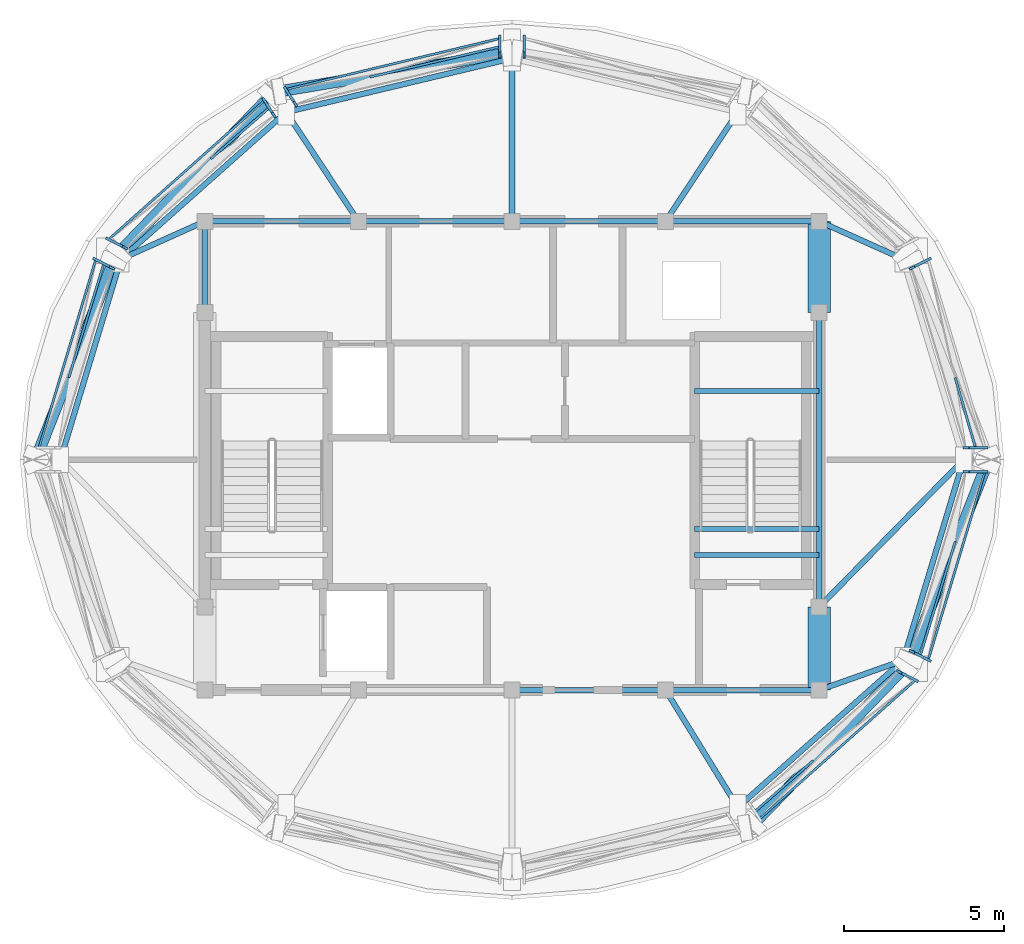
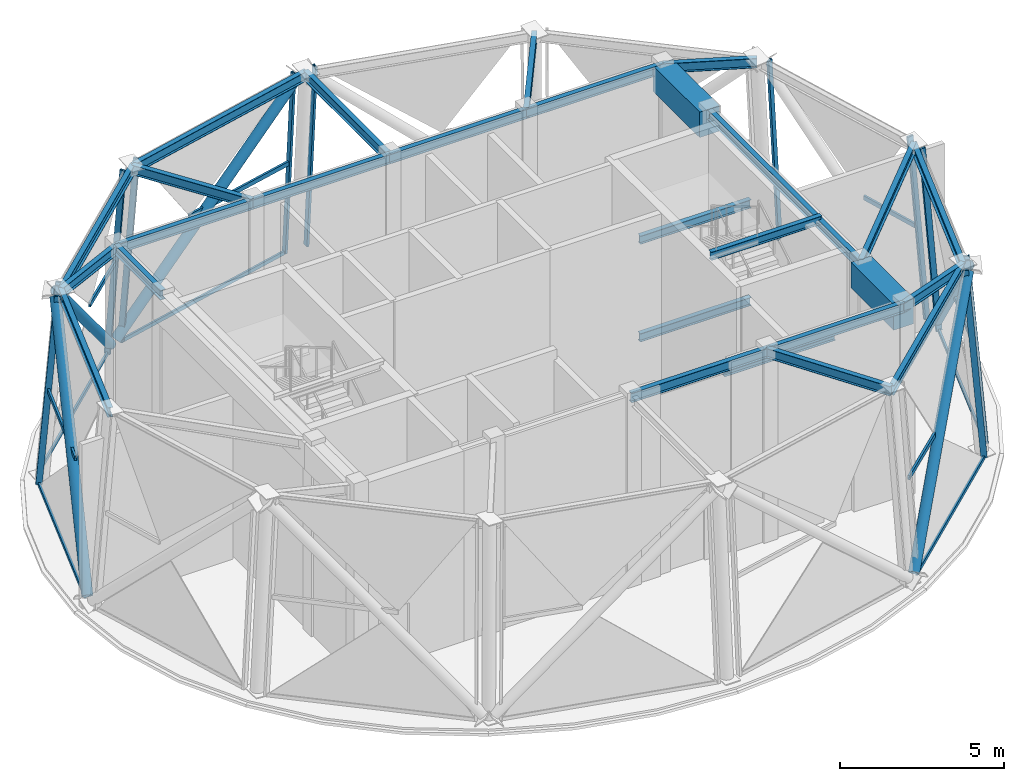
# One storey, part 2 of 8: 27 beams, 27 members, 7 elements without a shape of their own.
"""IFC4 building model written with IfcOpenShell, lengths in metres."""

from ifc_helpers import new_model, si_unit, direction, frame, origin, origin_2d, place, context, subcontext, project, spatial, rectangle, hollow_rectangle, hollow_circle, i_section, extrude, material, layer, layer_set, material_profile, profile_set, type_object, element, aggregate, save


model = new_model("IFC4")

# Units and contexts
model_context = context("Model", 3, precision=1e-05, world=origin(), true_north=direction((0.0, 1.0)))
body_context = subcontext(model_context, "Body", "Model", "MODEL_VIEW")
ifc_project = project(units=[si_unit("LENGTHUNIT", "METRE"), si_unit("AREAUNIT", "SQUARE_METRE"), si_unit("VOLUMEUNIT", "CUBIC_METRE"), si_unit("PLANEANGLEUNIT", "RADIAN"), si_unit("MASSUNIT", "GRAM", prefix="KILO")], contexts=[model_context])

# Site, building, storey
site_placement = place(None, origin())
site = spatial("IfcSite", under=ifc_project, at=site_placement, CompositionType="ELEMENT")
building_placement = place(site_placement, origin())
building = spatial("IfcBuilding", under=site, at=building_placement, Name="Vantalir Tower", CompositionType="ELEMENT")
storey_placement = place(building_placement, frame((0.0, 0.0, 333.5)))
storey = spatial("IfcBuildingStorey", under=building, at=storey_placement, Name="L80", CompositionType="ELEMENT", Elevation=333.5)

# Beams
ifc_material_1 = material(Name="Concrete C60/75", Category="concrete")
ifc_material_profile_1 = material_profile(ifc_material_1, rectangle(XDim=0.699951171875, YDim=0.949951171875, at=origin_2d()), Name="Concrete C60/75")
ifc_profile_set_1 = profile_set([ifc_material_profile_1], Name="Concrete C60/75")
beam_type_1 = type_object("IfcBeamType", Name="BM-CB-700x950", PredefinedType="USERDEFINED", material=ifc_profile_set_1)
beam_1_placement = place(storey_placement, frame((41.10009765625, 17.800048828125, 6.594970703125), z_axis=(0.0, 1.0, 0.0), x_axis=(-1.0, 0.0, 0.0)))
element("IfcBeam", 1, at=beam_1_placement, inside=storey, type_object=beam_type_1, Name="L80 Core Coupling Girder 05", ObjectType="GIRDER", PredefinedType="USERDEFINED", context=body_context, shape_type="SweptSolid", body=[
    extrude(rectangle(XDim=0.699951171875, YDim=0.949951171875, at=origin_2d()), origin(), (0.0, 0.0, 1.0), 2.599853515625),
])
beam_2_placement = place(storey_placement, frame((41.10009765625, 29.60009765625, 6.594970703125), z_axis=(0.0, 1.0, 0.0), x_axis=(-1.0, 0.0, 0.0)))
element("IfcBeam", 2, at=beam_2_placement, inside=storey, type_object=beam_type_1, Name="L80 Core Coupling Girder 07", ObjectType="GIRDER", PredefinedType="USERDEFINED", context=body_context, shape_type="SweptSolid", body=[
    extrude(rectangle(XDim=0.699951171875, YDim=0.949951171875, at=origin_2d()), origin(), (0.0, 0.0, 1.0), 2.849853515625),
])
ifc_material_2 = material(Name="Steel S355", Category="steel")
ifc_material_profile_2 = material_profile(ifc_material_2, i_section(OverallWidth=0.166015625, OverallDepth=0.306884765625, WebThickness=0.006591796875, FlangeThickness=0.01171875, at=origin_2d()), Name="Steel S355")
ifc_profile_set_2 = profile_set([ifc_material_profile_2], Name="Steel S355")
beam_type_2 = type_object("IfcBeamType", Name="BM-JS-305x165", PredefinedType="JOIST", material=ifc_profile_set_2)
for number, where, z_axis, x_axis, name in (
    (3, (37.2099609375, 22.8349609375, 7.095947265625), (1.0, 0.0, 0.0), (0.0, 1.0, 0.0), "L81 Stair ST2 Well Nosing Trimmer Beam"),
    (4, (37.2099609375, 27.14501953125, 1.458984375), (1.0, 0.0, 0.0), (0.0, 1.0, 0.0), "L80 Stair ST2 Half-Landing Support Beam"),
    (5, (37.2099609375, 22.02001953125, 3.27197265625), (1.0, 0.0, 0.0), (0.0, 1.0, 0.0), "L80 Stair ST2 Half-Landing Support Beam"),
    (6, (37.2099609375, 27.14501953125, 5.083984375), (1.0, 0.0, 0.0), (0.0, 1.0, 0.0), "L80 Stair ST2 Half-Landing Support Beam"),
):
    element("IfcBeam", number, at=place(storey_placement, frame(where, z_axis=z_axis, x_axis=x_axis)), inside=storey, type_object=beam_type_2, Name=name, PredefinedType="JOIST", context=body_context, shape_type="SweptSolid", body=[
        extrude(i_section(OverallWidth=0.166015625, OverallDepth=0.306884765625, WebThickness=0.006591796875, FlangeThickness=0.01171875, at=origin_2d()), origin(), (0.0, 0.0, 1.0), 3.89013671875),
    ])
ifc_material_3 = material(Name="Steel S460", Category="steel")
ifc_material_profile_3 = material_profile(ifc_material_3, i_section(OverallWidth=0.172119140625, OverallDepth=0.35791015625, WebThickness=0.008056640625, FlangeThickness=0.012939453125, at=origin_2d()), Name="Steel S460")
ifc_profile_set_3 = profile_set([ifc_material_profile_3], Name="Steel S460")
beam_type_3 = type_object("IfcBeamType", Name="BM-RB-356x171", PredefinedType="BEAM", material=ifc_profile_set_3)
for number, where, z_axis, x_axis, name in (
    (7, (31.5, 17.800048828125, 6.89111328125), (1.0, 0.0, 0.0), (0.0, 1.0, 0.0), "L80 Core Coupling Girder 03"),
    (8, (36.300048828125, 17.800048828125, 6.89111328125), (1.0, 0.0, 0.0), (0.0, 1.0, 0.0), "L80 Core Coupling Girder 04"),
):
    element("IfcBeam", number, at=place(storey_placement, frame(where, z_axis=z_axis, x_axis=x_axis)), inside=storey, type_object=beam_type_3, Name=name, PredefinedType="BEAM", context=body_context, shape_type="SweptSolid", body=[
        extrude(i_section(OverallWidth=0.172119140625, OverallDepth=0.35791015625, WebThickness=0.008056640625, FlangeThickness=0.012939453125, at=origin_2d()), origin(), (0.0, 0.0, 1.0), 4.800048828125),
    ])
beam_3_placement = place(storey_placement, frame((41.10009765625, 20.39990234375, 6.89111328125), z_axis=(0.0, 1.0, 0.0), x_axis=(-1.0, 0.0, 0.0)))
element("IfcBeam", 9, at=beam_3_placement, inside=storey, type_object=beam_type_3, Name="L80 Core Coupling Girder 06", PredefinedType="BEAM", context=body_context, shape_type="SweptSolid", body=[
    extrude(i_section(OverallWidth=0.172119140625, OverallDepth=0.35791015625, WebThickness=0.008056640625, FlangeThickness=0.012939453125, at=origin_2d()), origin(), (0.0, 0.0, 1.0), 9.2001953125),
])
for number, where, z_axis, x_axis, name in (
    (10, (41.10009765625, 32.449951171875, 6.89111328125), (-1.0, 0.0, 0.0), (0.0, -1.0, 0.0), "L80 Core Coupling Girder 08"),
    (11, (36.300048828125, 32.449951171875, 6.89111328125), (-1.0, 0.0, 0.0), (0.0, -1.0, 0.0), "L80 Core Coupling Girder 09"),
    (12, (31.5, 32.449951171875, 6.89111328125), (-1.0, 0.0, 0.0), (0.0, -1.0, 0.0), "L80 Core Coupling Girder 10"),
    (13, (26.699951171875, 32.449951171875, 6.89111328125), (-1.0, 0.0, 0.0), (0.0, -1.0, 0.0), "L80 Core Coupling Girder 11"),
):
    element("IfcBeam", number, at=place(storey_placement, frame(where, z_axis=z_axis, x_axis=x_axis)), inside=storey, type_object=beam_type_3, Name=name, PredefinedType="BEAM", context=body_context, shape_type="SweptSolid", body=[
        extrude(i_section(OverallWidth=0.172119140625, OverallDepth=0.35791015625, WebThickness=0.008056640625, FlangeThickness=0.012939453125, at=origin_2d()), origin(), (0.0, 0.0, 1.0), 4.800048828125),
    ])
beam_4_placement = place(storey_placement, frame((21.89990234375, 32.449951171875, 6.89111328125), z_axis=(0.0, -1.0, 0.0), x_axis=(1.0, 0.0, 0.0)))
element("IfcBeam", 14, at=beam_4_placement, inside=storey, type_object=beam_type_3, Name="L80 Core Coupling Girder 12", PredefinedType="BEAM", context=body_context, shape_type="SweptSolid", body=[
    extrude(i_section(OverallWidth=0.172119140625, OverallDepth=0.35791015625, WebThickness=0.008056640625, FlangeThickness=0.012939453125, at=origin_2d()), origin(), (0.0, 0.0, 1.0), 2.849853515625),
])
beam_5_placement = place(storey_placement, frame((45.614013671875, 25.0, 6.89111328125), z_axis=(-0.700389104204, -0.713761236487, 0.0), x_axis=(0.713761236487, -0.700389104204, 0.0)))
element("IfcBeam", 15, at=beam_5_placement, inside=storey, type_object=beam_type_3, Name="L80 Radial Floor Beam 01", PredefinedType="BEAM", context=body_context, shape_type="SweptSolid", body=[
    extrude(i_section(OverallWidth=0.172119140625, OverallDepth=0.35791015625, WebThickness=0.008056640625, FlangeThickness=0.012939453125, at=origin_2d()), origin(), (0.0, 0.0, 1.0), 6.44482421875),
])
beam_6_placement = place(storey_placement, frame((43.722900390625, 31.27099609375, 6.89111328125), z_axis=(-0.912091405447, 0.40998691212, 0.0), x_axis=(-0.40998691212, -0.912091405447, 0.0)))
element("IfcBeam", 16, at=beam_6_placement, inside=storey, type_object=beam_type_3, Name="L80 Radial Floor Beam 02", PredefinedType="BEAM", context=body_context, shape_type="SweptSolid", body=[
    extrude(i_section(OverallWidth=0.172119140625, OverallDepth=0.35791015625, WebThickness=0.008056640625, FlangeThickness=0.012939453125, at=origin_2d()), origin(), (0.0, 0.0, 1.0), 2.87548828125),
])
beam_7_placement = place(storey_placement, frame((38.556884765625, 35.863037109375, 6.89111328125), z_axis=(-0.551556873455, -0.834137288068, 0.0), x_axis=(0.834137288068, -0.551556873455, 0.0)))
element("IfcBeam", 17, at=beam_7_placement, inside=storey, type_object=beam_type_3, Name="L80 Radial Floor Beam 03", PredefinedType="BEAM", context=body_context, shape_type="SweptSolid", body=[
    extrude(i_section(OverallWidth=0.172119140625, OverallDepth=0.35791015625, WebThickness=0.008056640625, FlangeThickness=0.012939453125, at=origin_2d()), origin(), (0.0, 0.0, 1.0), 4.091796875),
])
beam_8_placement = place(storey_placement, frame((31.5, 37.54296875, 6.89111328125), z_axis=(-0.97281488068, -0.231584127105, 0.0), x_axis=(0.231584127105, -0.97281488068, 0.0)))
element("IfcBeam", 18, at=beam_8_placement, inside=storey, type_object=beam_type_3, Name="L80 Circumferential Ring Girder 04", PredefinedType="BEAM", context=body_context, shape_type="SweptSolid", body=[
    extrude(i_section(OverallWidth=0.172119140625, OverallDepth=0.35791015625, WebThickness=0.008056640625, FlangeThickness=0.012939453125, at=origin_2d()), origin(), (0.0, 0.0, 1.0), 7.254150390625),
])
beam_9_placement = place(storey_placement, frame((31.5, 37.54296875, 6.89111328125), z_axis=(0.0, -1.0, 0.0), x_axis=(1.0, 0.0, 0.0)))
element("IfcBeam", 19, at=beam_9_placement, inside=storey, type_object=beam_type_3, Name="L80 Radial Floor Beam 04", PredefinedType="BEAM", context=body_context, shape_type="SweptSolid", body=[
    extrude(i_section(OverallWidth=0.172119140625, OverallDepth=0.35791015625, WebThickness=0.008056640625, FlangeThickness=0.012939453125, at=origin_2d()), origin(), (0.0, 0.0, 1.0), 5.093017578125),
])
beam_10_placement = place(storey_placement, frame((24.443115234375, 35.863037109375, 6.89111328125), z_axis=(-0.747407369896, -0.664366031209, 0.0), x_axis=(0.664366031209, -0.747407369896, 0.0)))
element("IfcBeam", 20, at=beam_10_placement, inside=storey, type_object=beam_type_3, Name="L80 Circumferential Ring Girder 05", PredefinedType="BEAM", context=body_context, shape_type="SweptSolid", body=[
    extrude(i_section(OverallWidth=0.172119140625, OverallDepth=0.35791015625, WebThickness=0.008056640625, FlangeThickness=0.012939453125, at=origin_2d()), origin(), (0.0, 0.0, 1.0), 6.911865234375),
])
beam_11_placement = place(storey_placement, frame((24.443115234375, 35.863037109375, 6.89111328125), z_axis=(0.551556873455, -0.834137288068, 0.0), x_axis=(0.834137288068, 0.551556873455, 0.0)))
element("IfcBeam", 21, at=beam_11_placement, inside=storey, type_object=beam_type_3, Name="L80 Radial Floor Beam 05", PredefinedType="BEAM", context=body_context, shape_type="SweptSolid", body=[
    extrude(i_section(OverallWidth=0.172119140625, OverallDepth=0.35791015625, WebThickness=0.008056640625, FlangeThickness=0.012939453125, at=origin_2d()), origin(), (0.0, 0.0, 1.0), 4.091796875),
])
beam_12_placement = place(storey_placement, frame((19.277099609375, 31.27099609375, 6.89111328125), z_axis=(-0.288722271948, -0.957412894044, 0.0), x_axis=(0.957412894044, -0.288722271948, 0.0)))
element("IfcBeam", 22, at=beam_12_placement, inside=storey, type_object=beam_type_3, Name="L80 Circumferential Ring Girder 06", PredefinedType="BEAM", context=body_context, shape_type="SweptSolid", body=[
    extrude(i_section(OverallWidth=0.172119140625, OverallDepth=0.35791015625, WebThickness=0.008056640625, FlangeThickness=0.012939453125, at=origin_2d()), origin(), (0.0, 0.0, 1.0), 6.550048828125),
])
beam_13_placement = place(storey_placement, frame((19.277099609375, 31.27099609375, 6.89111328125), z_axis=(0.912091405447, 0.40998691212, 0.0), x_axis=(-0.40998691212, 0.912091405447, 0.0)))
element("IfcBeam", 23, at=beam_13_placement, inside=storey, type_object=beam_type_3, Name="L80 Radial Floor Beam 06", PredefinedType="BEAM", context=body_context, shape_type="SweptSolid", body=[
    extrude(i_section(OverallWidth=0.172119140625, OverallDepth=0.35791015625, WebThickness=0.008056640625, FlangeThickness=0.012939453125, at=origin_2d()), origin(), (0.0, 0.0, 1.0), 2.87548828125),
])
beam_14_placement = place(storey_placement, frame((38.556884765625, 14.136962890625, 6.89111328125), z_axis=(0.747477528585, 0.664287094756, 0.0), x_axis=(-0.664287094756, 0.747477528585, 0.0)))
element("IfcBeam", 24, at=beam_14_placement, inside=storey, type_object=beam_type_3, Name="L80 Circumferential Ring Girder 11", PredefinedType="BEAM", context=body_context, shape_type="SweptSolid", body=[
    extrude(i_section(OverallWidth=0.172119140625, OverallDepth=0.35791015625, WebThickness=0.008056640625, FlangeThickness=0.012939453125, at=origin_2d()), origin(), (0.0, 0.0, 1.0), 6.911376953125),
])
beam_15_placement = place(storey_placement, frame((38.556884765625, 14.136962890625, 6.89111328125), z_axis=(-0.524540590283, 0.851385441, 0.0), x_axis=(-0.851385441, -0.524540590283, 0.0)))
element("IfcBeam", 25, at=beam_15_placement, inside=storey, type_object=beam_type_3, Name="L80 Radial Floor Beam 11", PredefinedType="BEAM", context=body_context, shape_type="SweptSolid", body=[
    extrude(i_section(OverallWidth=0.172119140625, OverallDepth=0.35791015625, WebThickness=0.008056640625, FlangeThickness=0.012939453125, at=origin_2d()), origin(), (0.0, 0.0, 1.0), 4.302490234375),
])
beam_16_placement = place(storey_placement, frame((43.722900390625, 18.72802734375, 6.89111328125), z_axis=(0.288681063793, 0.957425320016, 0.0), x_axis=(-0.957425320016, 0.288681063793, 0.0)))
element("IfcBeam", 26, at=beam_16_placement, inside=storey, type_object=beam_type_3, Name="L80 Circumferential Ring Girder 12", PredefinedType="BEAM", context=body_context, shape_type="SweptSolid", body=[
    extrude(i_section(OverallWidth=0.172119140625, OverallDepth=0.35791015625, WebThickness=0.008056640625, FlangeThickness=0.012939453125, at=origin_2d()), origin(), (0.0, 0.0, 1.0), 6.55078125),
])
beam_17_placement = place(storey_placement, frame((43.722900390625, 18.72802734375, 6.89111328125), z_axis=(-0.942732461803, -0.333549854539, 0.0), x_axis=(0.333549854539, -0.942732461803, 0.0)))
element("IfcBeam", 27, at=beam_17_placement, inside=storey, type_object=beam_type_3, Name="L80 Radial Floor Beam 12", PredefinedType="BEAM", context=body_context, shape_type="SweptSolid", body=[
    extrude(i_section(OverallWidth=0.172119140625, OverallDepth=0.35791015625, WebThickness=0.008056640625, FlangeThickness=0.012939453125, at=origin_2d()), origin(), (0.0, 0.0, 1.0), 2.7822265625),
])

# Curtain wall, members
ifc_material_4 = material(Name="Champagne-silver PVDF aluminium and double-silver Low-E glass", Category="aluminium")
ifc_layer = layer(ifc_material_4, 0.25)
ifc_layer_set = layer_set([ifc_layer], Name="Champagne-silver PVDF aluminium and double-silver Low-E glass")
curtain_wall_type = type_object("IfcCurtainWallType", Name="CW-CROWN-PT", PredefinedType="USERDEFINED", material=ifc_layer_set)
curtain_wall_1_placement = place(storey_placement, origin())
curtain_wall_1 = element("IfcCurtainWall", 28, at=curtain_wall_1_placement, inside=storey, type_object=curtain_wall_type, Name="L80 Quilted Pyramid-Diamond Curtain Wall S01", ObjectType="UNITISED CURTAIN WALL", PredefinedType="USERDEFINED")
ifc_material_5 = material(Name="Champagne-silver PVDF aluminium 6063-T6", Category="aluminium")
ifc_material_profile_4 = material_profile(ifc_material_5, hollow_rectangle(XDim=0.080078125, YDim=0.199951171875, WallThickness=0.0048828125, at=origin_2d()), Name="Champagne-silver PVDF aluminium 6063-T6")
ifc_profile_set_4 = profile_set([ifc_material_profile_4], Name="Champagne-silver PVDF aluminium 6063-T6")
member_type_1 = type_object("IfcMemberType", Name="CWM-200x80", PredefinedType="MULLION", material=ifc_profile_set_4)
member_1_placement = place(storey_placement, frame((46.279052734375, 25.373046875, 0.044921875), z_axis=(-0.083824264782, 0.0, 0.996480553064), x_axis=(0.0, -1.0, 0.0)))
member_1 = element("IfcMember", 29, at=member_1_placement, type_object=member_type_1, Name="CW-L80-S01 Mullion 1", PredefinedType="MULLION", context=body_context, shape_type="SweptSolid", body=[
    extrude(hollow_rectangle(XDim=0.080078125, YDim=0.199951171875, WallThickness=0.0048828125, at=origin_2d()), origin(), (0.0, 0.0, 1.0), 7.004638671875),
])
member_2_placement = place(storey_placement, frame((44.508056640625, 31.2548828125, 0.044921875), z_axis=(-0.072544830154, -0.037405383352, 0.996663476262), x_axis=(0.4582838613, -0.888805885709, 0.0)))
member_2 = element("IfcMember", 30, at=member_2_placement, type_object=member_type_1, Name="CW-L80-S01 Mullion 2", PredefinedType="MULLION", context=body_context, shape_type="SweptSolid", body=[
    extrude(hollow_rectangle(XDim=0.080078125, YDim=0.199951171875, WallThickness=0.0048828125, at=origin_2d()), origin(), (0.0, 0.0, 1.0), 7.00341796875),
])

# Curtain wall, member
curtain_wall_2_placement = place(storey_placement, origin())
curtain_wall_2 = element("IfcCurtainWall", 31, at=curtain_wall_2_placement, inside=storey, type_object=curtain_wall_type, Name="L80 Quilted Pyramid-Diamond Curtain Wall S03", ObjectType="UNITISED CURTAIN WALL", PredefinedType="USERDEFINED")
member_3_placement = place(storey_placement, frame((31.87890625, 38.1669921875, 0.044921875), z_axis=(0.0, -0.074850645186, 0.99719475576), x_axis=(1.0, 0.0, 0.0)))
member_3 = element("IfcMember", 32, at=member_3_placement, type_object=member_type_1, Name="CW-L80-S03 Mullion 2", PredefinedType="MULLION", context=body_context, shape_type="SweptSolid", body=[
    extrude(hollow_rectangle(XDim=0.080078125, YDim=0.199951171875, WallThickness=0.0048828125, at=origin_2d()), origin(), (0.0, 0.0, 1.0), 6.99951171875),
])
aggregate(curtain_wall_2, [member_3])

# Curtain wall, members
curtain_wall_3_placement = place(storey_placement, origin())
curtain_wall_3 = element("IfcCurtainWall", 33, at=curtain_wall_3_placement, inside=storey, type_object=curtain_wall_type, Name="L80 Quilted Pyramid-Diamond Curtain Wall S04", ObjectType="UNITISED CURTAIN WALL", PredefinedType="USERDEFINED")
member_4_placement = place(storey_placement, frame((31.12109375, 38.1669921875, 0.044921875), z_axis=(0.0, -0.074850645186, 0.99719475576), x_axis=(1.0, 0.0, 0.0)))
member_4 = element("IfcMember", 34, at=member_4_placement, type_object=member_type_1, Name="CW-L80-S04 Mullion 1", PredefinedType="MULLION", context=body_context, shape_type="SweptSolid", body=[
    extrude(hollow_rectangle(XDim=0.080078125, YDim=0.199951171875, WallThickness=0.0048828125, at=origin_2d()), origin(), (0.0, 0.0, 1.0), 6.99951171875),
])
member_5_placement = place(storey_placement, frame((24.43408203125, 36.571044921875, 0.044921875), z_axis=(0.041847483716, -0.06486359976, 0.997016299532), x_axis=(0.840296648224, 0.542126869822, 0.0)))
member_5 = element("IfcMember", 35, at=member_5_placement, type_object=member_type_1, Name="CW-L80-S04 Mullion 2", PredefinedType="MULLION", context=body_context, shape_type="SweptSolid", body=[
    extrude(hollow_rectangle(XDim=0.080078125, YDim=0.199951171875, WallThickness=0.0048828125, at=origin_2d()), origin(), (0.0, 0.0, 1.0), 7.0009765625),
])

curtain_wall_4_placement = place(storey_placement, origin())
curtain_wall_4 = element("IfcCurtainWall", 36, at=curtain_wall_4_placement, inside=storey, type_object=curtain_wall_type, Name="L80 Quilted Pyramid-Diamond Curtain Wall S05", ObjectType="UNITISED CURTAIN WALL", PredefinedType="USERDEFINED")
member_6_placement = place(storey_placement, frame((23.763916015625, 36.221923828125, 0.044921875), z_axis=(0.041847578349, -0.064828873459, 0.997018554167), x_axis=(0.840163795979, 0.542332735436, 0.0)))
member_6 = element("IfcMember", 37, at=member_6_placement, type_object=member_type_1, Name="CW-L80-S05 Mullion 1", PredefinedType="MULLION", context=body_context, shape_type="SweptSolid", body=[
    extrude(hollow_rectangle(XDim=0.080078125, YDim=0.199951171875, WallThickness=0.0048828125, at=origin_2d()), origin(), (0.0, 0.0, 1.0), 7.000732421875),
])
member_7_placement = place(storey_placement, frame((18.89501953125, 31.886962890625, 0.044921875), z_axis=(0.072544830154, -0.037405383352, 0.996663476262), x_axis=(0.4582838613, 0.888805885709, 0.0)))
member_7 = element("IfcMember", 38, at=member_7_placement, type_object=member_type_1, Name="CW-L80-S05 Mullion 2", PredefinedType="MULLION", context=body_context, shape_type="SweptSolid", body=[
    extrude(hollow_rectangle(XDim=0.080078125, YDim=0.199951171875, WallThickness=0.0048828125, at=origin_2d()), origin(), (0.0, 0.0, 1.0), 7.00341796875),
])

# Curtain wall, member
curtain_wall_5_placement = place(storey_placement, origin())
curtain_wall_5 = element("IfcCurtainWall", 39, at=curtain_wall_5_placement, inside=storey, type_object=curtain_wall_type, Name="L80 Quilted Pyramid-Diamond Curtain Wall S06", ObjectType="UNITISED CURTAIN WALL", PredefinedType="USERDEFINED")
member_8_placement = place(storey_placement, frame((18.491943359375, 31.2548828125, 0.044921875), z_axis=(0.072544830154, -0.037405383352, 0.996663476262), x_axis=(0.4582838613, 0.888805885709, 0.0)))
member_8 = element("IfcMember", 40, at=member_8_placement, type_object=member_type_1, Name="CW-L80-S06 Mullion 1", PredefinedType="MULLION", context=body_context, shape_type="SweptSolid", body=[
    extrude(hollow_rectangle(XDim=0.080078125, YDim=0.199951171875, WallThickness=0.0048828125, at=origin_2d()), origin(), (0.0, 0.0, 1.0), 7.00341796875),
])

curtain_wall_6_placement = place(storey_placement, origin())
curtain_wall_6 = element("IfcCurtainWall", 41, at=curtain_wall_6_placement, inside=storey, type_object=curtain_wall_type, Name="L80 Quilted Pyramid-Diamond Curtain Wall S11", ObjectType="UNITISED CURTAIN WALL", PredefinedType="USERDEFINED")
member_9_placement = place(storey_placement, frame((44.10498046875, 18.112060546875, 0.044921875), z_axis=(-0.072544830154, 0.037405383352, 0.996663476262), x_axis=(-0.4582838613, -0.888805885709, 0.0)))
member_9 = element("IfcMember", 42, at=member_9_placement, type_object=member_type_1, Name="CW-L80-S11 Mullion 2", PredefinedType="MULLION", context=body_context, shape_type="SweptSolid", body=[
    extrude(hollow_rectangle(XDim=0.080078125, YDim=0.199951171875, WallThickness=0.0048828125, at=origin_2d()), origin(), (0.0, 0.0, 1.0), 7.00341796875),
])

# Curtain wall, members
curtain_wall_7_placement = place(storey_placement, origin())
curtain_wall_7 = element("IfcCurtainWall", 43, at=curtain_wall_7_placement, inside=storey, type_object=curtain_wall_type, Name="L80 Quilted Pyramid-Diamond Curtain Wall S12", ObjectType="UNITISED CURTAIN WALL", PredefinedType="USERDEFINED")
member_10_placement = place(storey_placement, frame((44.508056640625, 18.743896484375, 0.044921875), z_axis=(-0.072544735514, 0.03744019507, 0.996662176037), x_axis=(-0.458621165042, -0.888631884965, 0.0)))
member_10 = element("IfcMember", 44, at=member_10_placement, type_object=member_type_1, Name="CW-L80-S12 Mullion 1", PredefinedType="MULLION", context=body_context, shape_type="SweptSolid", body=[
    extrude(hollow_rectangle(XDim=0.080078125, YDim=0.199951171875, WallThickness=0.0048828125, at=origin_2d()), origin(), (0.0, 0.0, 1.0), 7.00341796875),
])
member_11_placement = place(storey_placement, frame((46.279052734375, 24.626953125, 0.044921875), z_axis=(-0.083824264782, 0.0, 0.996480553064), x_axis=(0.0, -1.0, 0.0)))
member_11 = element("IfcMember", 45, at=member_11_placement, type_object=member_type_1, Name="CW-L80-S12 Mullion 2", PredefinedType="MULLION", context=body_context, shape_type="SweptSolid", body=[
    extrude(hollow_rectangle(XDim=0.080078125, YDim=0.199951171875, WallThickness=0.0048828125, at=origin_2d()), origin(), (0.0, 0.0, 1.0), 7.004638671875),
])

# Member
ifc_material_profile_5 = material_profile(ifc_material_5, hollow_rectangle(XDim=0.070068359375, YDim=0.139892578125, WallThickness=0.00390625, at=origin_2d()), Name="Champagne-silver PVDF aluminium 6063-T6")
ifc_profile_set_5 = profile_set([ifc_material_profile_5], Name="Champagne-silver PVDF aluminium 6063-T6")
member_type_2 = type_object("IfcMemberType", Name="CWT-140x70", PredefinedType="USERDEFINED", material=ifc_profile_set_5)
member_12_placement = place(storey_placement, frame((31.12109375, 38.1669921875, 0.054931640625), z_axis=(-0.972681476108, -0.232143804648, 0.0), x_axis=(0.232143804648, -0.972681476108, 0.0)))
member_12 = element("IfcMember", 46, at=member_12_placement, type_object=member_type_2, Name="CW-L80-S04 Sill Transom", ObjectType="TRANSOM", PredefinedType="USERDEFINED", context=body_context, shape_type="SweptSolid", body=[
    extrude(hollow_rectangle(XDim=0.070068359375, YDim=0.139892578125, WallThickness=0.00390625, at=origin_2d()), origin(), (0.0, 0.0, 1.0), 6.874755859375),
])

member_13_placement = place(storey_placement, frame((23.763916015625, 36.221923828125, 0.054931640625), z_axis=(-0.746871855857, -0.664967992409, 0.0), x_axis=(0.664967992409, -0.746871855857, 0.0)))
member_13 = element("IfcMember", 47, at=member_13_placement, type_object=member_type_2, Name="CW-L80-S05 Sill Transom", ObjectType="TRANSOM", PredefinedType="USERDEFINED", context=body_context, shape_type="SweptSolid", body=[
    extrude(hollow_rectangle(XDim=0.070068359375, YDim=0.139892578125, WallThickness=0.00390625, at=origin_2d()), origin(), (0.0, 0.0, 1.0), 6.51904296875),
])

member_14_placement = place(storey_placement, frame((18.491943359375, 31.2548828125, 0.054931640625), z_axis=(-0.288310372114, -0.95753701199, 0.0), x_axis=(0.95753701199, -0.288310372114, 0.0)))
member_14 = element("IfcMember", 48, at=member_14_placement, type_object=member_type_2, Name="CW-L80-S06 Sill Transom", ObjectType="TRANSOM", PredefinedType="USERDEFINED", context=body_context, shape_type="SweptSolid", body=[
    extrude(hollow_rectangle(XDim=0.070068359375, YDim=0.139892578125, WallThickness=0.00390625, at=origin_2d()), origin(), (0.0, 0.0, 1.0), 6.142578125),
])

member_15_placement = place(storey_placement, frame((39.237060546875, 13.778076171875, 0.054931640625), z_axis=(0.746880016223, 0.664958826821, 0.0), x_axis=(-0.664958826821, 0.746880016223, 0.0)))
member_15 = element("IfcMember", 49, at=member_15_placement, type_object=member_type_2, Name="CW-L80-S11 Sill Transom", ObjectType="TRANSOM", PredefinedType="USERDEFINED", context=body_context, shape_type="SweptSolid", body=[
    extrude(hollow_rectangle(XDim=0.070068359375, YDim=0.139892578125, WallThickness=0.00390625, at=origin_2d()), origin(), (0.0, 0.0, 1.0), 6.517578125),
])

member_16_placement = place(storey_placement, frame((44.508056640625, 18.743896484375, 0.054931640625), z_axis=(0.288255520468, 0.957553525877, 0.0), x_axis=(-0.957553525877, 0.288255520468, 0.0)))
member_16 = element("IfcMember", 50, at=member_16_placement, type_object=member_type_2, Name="CW-L80-S12 Sill Transom", ObjectType="TRANSOM", PredefinedType="USERDEFINED", context=body_context, shape_type="SweptSolid", body=[
    extrude(hollow_rectangle(XDim=0.070068359375, YDim=0.139892578125, WallThickness=0.00390625, at=origin_2d()), origin(), (0.0, 0.0, 1.0), 6.143798828125),
])

ifc_material_profile_6 = material_profile(ifc_material_5, hollow_rectangle(XDim=0.074951171875, YDim=0.159912109375, WallThickness=0.00390625, at=origin_2d()), Name="Champagne-silver PVDF aluminium 6063-T6")
ifc_profile_set_6 = profile_set([ifc_material_profile_6], Name="Champagne-silver PVDF aluminium 6063-T6")
member_type_3 = type_object("IfcMemberType", Name="CWT-160x75", PredefinedType="USERDEFINED", material=ifc_profile_set_6)
member_17_placement = place(storey_placement, frame((45.985107421875, 25.373046875, 3.534912109375), z_axis=(-0.278099678622, 0.960552220731, 0.0), x_axis=(-0.960552220731, -0.278099678622, 0.0)))
member_17 = element("IfcMember", 51, at=member_17_placement, type_object=member_type_3, Name="CW-L80-S01 Pyramid Fold Ridge Transom", ObjectType="TRANSOM", PredefinedType="USERDEFINED", context=body_context, shape_type="SweptSolid", body=[
    extrude(hollow_rectangle(XDim=0.074951171875, YDim=0.159912109375, WallThickness=0.00390625, at=origin_2d()), origin(), (0.0, 0.0, 1.0), 2.27978515625),
])

aggregate(curtain_wall_1, [member_1, member_2, member_17])

member_18_placement = place(storey_placement, frame((31.12109375, 37.905029296875, 3.534912109375), z_axis=(-0.97399811654, -0.226556105584, 0.0), x_axis=(0.226556105584, -0.97399811654, 0.0)))
member_18 = element("IfcMember", 52, at=member_18_placement, type_object=member_type_3, Name="CW-L80-S04 Pyramid Fold Ridge Transom", ObjectType="TRANSOM", PredefinedType="USERDEFINED", context=body_context, shape_type="SweptSolid", body=[
    extrude(hollow_rectangle(XDim=0.074951171875, YDim=0.159912109375, WallThickness=0.00390625, at=origin_2d()), origin(), (0.0, 0.0, 1.0), 4.17138671875),
])

aggregate(curtain_wall_3, [member_4, member_5, member_12, member_18])

member_19_placement = place(storey_placement, frame((23.909912109375, 35.9951171875, 3.534912109375), z_axis=(-0.753281300009, -0.657698474269, 0.0), x_axis=(0.657698474269, -0.753281300009, 0.0)))
member_19 = element("IfcMember", 53, at=member_19_placement, type_object=member_type_3, Name="CW-L80-S05 Pyramid Fold Ridge Transom", ObjectType="TRANSOM", PredefinedType="USERDEFINED", context=body_context, shape_type="SweptSolid", body=[
    extrude(hollow_rectangle(XDim=0.074951171875, YDim=0.159912109375, WallThickness=0.00390625, at=origin_2d()), origin(), (0.0, 0.0, 1.0), 2.424072265625),
])

aggregate(curtain_wall_4, [member_6, member_7, member_13, member_19])

member_20_placement = place(storey_placement, frame((18.74609375, 31.1240234375, 3.534912109375), z_axis=(-0.294444946152, -0.955668443387, 0.0), x_axis=(0.955668443387, -0.294444946152, 0.0)))
member_20 = element("IfcMember", 54, at=member_20_placement, type_object=member_type_3, Name="CW-L80-S06 Pyramid Fold Ridge Transom", ObjectType="TRANSOM", PredefinedType="USERDEFINED", context=body_context, shape_type="SweptSolid", body=[
    extrude(hollow_rectangle(XDim=0.074951171875, YDim=0.159912109375, WallThickness=0.00390625, at=origin_2d()), origin(), (0.0, 0.0, 1.0), 3.726318359375),
])

aggregate(curtain_wall_5, [member_8, member_14, member_20])

member_21_placement = place(storey_placement, frame((39.090087890625, 14.0048828125, 3.534912109375), z_axis=(0.753281300009, 0.657698474269, 0.0), x_axis=(-0.657698474269, 0.753281300009, 0.0)))
member_21 = element("IfcMember", 55, at=member_21_placement, type_object=member_type_3, Name="CW-L80-S11 Pyramid Fold Ridge Transom", ObjectType="TRANSOM", PredefinedType="USERDEFINED", context=body_context, shape_type="SweptSolid", body=[
    extrude(hollow_rectangle(XDim=0.074951171875, YDim=0.159912109375, WallThickness=0.00390625, at=origin_2d()), origin(), (0.0, 0.0, 1.0), 2.424072265625),
])

aggregate(curtain_wall_6, [member_9, member_15, member_21])

member_22_placement = place(storey_placement, frame((44.25390625, 18.875, 3.534912109375), z_axis=(0.294371217079, 0.95569115647, 0.0), x_axis=(-0.95569115647, 0.294371217079, 0.0)))
member_22 = element("IfcMember", 56, at=member_22_placement, type_object=member_type_3, Name="CW-L80-S12 Pyramid Fold Ridge Transom", ObjectType="TRANSOM", PredefinedType="USERDEFINED", context=body_context, shape_type="SweptSolid", body=[
    extrude(hollow_rectangle(XDim=0.074951171875, YDim=0.159912109375, WallThickness=0.00390625, at=origin_2d()), origin(), (0.0, 0.0, 1.0), 3.72705078125),
])

aggregate(curtain_wall_7, [member_10, member_11, member_16, member_22])

# Members
ifc_material_profile_7 = material_profile(ifc_material_3, hollow_circle(Radius=0.177490234375, WallThickness=0.02001953125, at=origin_2d()), Name="Steel S460")
ifc_profile_set_7 = profile_set([ifc_material_profile_7], Name="Steel S460")
member_type_4 = type_object("IfcMemberType", Name="MEM-DB-355x20", PredefinedType="BRACE", material=ifc_profile_set_7)
member_23_placement = place(storey_placement, frame((46.333984375, 24.85595703125, 0.236083984375), z_axis=(-0.257316784842, -0.654770631149, 0.710678192168), x_axis=(0.930710142962, -0.365757610703, 0.0)))
element("IfcMember", 57, at=member_23_placement, inside=storey, type_object=member_type_4, Name="L80 CROWN FRAME Diagrid Brace R01R", PredefinedType="BRACE", context=body_context, shape_type="SweptSolid", body=[
    extrude(hollow_circle(Radius=0.177490234375, WallThickness=0.02001953125, at=origin_2d()), origin(), (0.0, 0.0, 1.0), 9.283935546875),
])
member_24_placement = place(storey_placement, frame((23.945068359375, 36.367919921875, 0.23291015625), z_axis=(-0.498354930016, -0.515846039159, 0.696810754519), x_axis=(0.71919473608, -0.694808557514, 0.0)))
element("IfcMember", 58, at=member_24_placement, inside=storey, type_object=member_type_4, Name="L80 CROWN FRAME Diagrid Brace R13L", PredefinedType="BRACE", context=body_context, shape_type="SweptSolid", body=[
    extrude(hollow_circle(Radius=0.177490234375, WallThickness=0.02001953125, at=origin_2d()), origin(), (0.0, 0.0, 1.0), 9.4775390625),
])
member_25_placement = place(storey_placement, frame((24.215087890625, 36.508056640625, 0.22900390625), z_axis=(0.727494812806, 0.122321033664, 0.675121368395), x_axis=(-0.165812561895, 0.986157286805, 0.0)))
element("IfcMember", 59, at=member_25_placement, inside=storey, type_object=member_type_4, Name="L80 CROWN FRAME Diagrid Brace R13R", PredefinedType="BRACE", context=body_context, shape_type="SweptSolid", body=[
    extrude(hollow_circle(Radius=0.177490234375, WallThickness=0.02001953125, at=origin_2d()), origin(), (0.0, 0.0, 1.0), 9.7939453125),
])
member_26_placement = place(storey_placement, frame((16.666015625, 25.14404296875, 0.236083984375), z_axis=(0.257334507733, 0.654710533472, 0.710727140674), x_axis=(-0.930690136517, 0.365808515197, 0.0)))
element("IfcMember", 60, at=member_26_placement, inside=storey, type_object=member_type_4, Name="L80 CROWN FRAME Diagrid Brace R19R", PredefinedType="BRACE", context=body_context, shape_type="SweptSolid", body=[
    extrude(hollow_circle(Radius=0.177490234375, WallThickness=0.02001953125, at=origin_2d()), origin(), (0.0, 0.0, 1.0), 9.283203125),
])
member_27_placement = place(storey_placement, frame((39.055908203125, 13.632080078125, 0.23291015625), z_axis=(0.498303961637, 0.515796898766, 0.696883577824), x_axis=(-0.719197170696, 0.69480603744, 0.0)))
element("IfcMember", 61, at=member_27_placement, inside=storey, type_object=member_type_4, Name="L80 CROWN FRAME Diagrid Brace R31L", PredefinedType="BRACE", context=body_context, shape_type="SweptSolid", body=[
    extrude(hollow_circle(Radius=0.177490234375, WallThickness=0.02001953125, at=origin_2d()), origin(), (0.0, 0.0, 1.0), 9.4765625),
])

save(model, "model.ifc")
